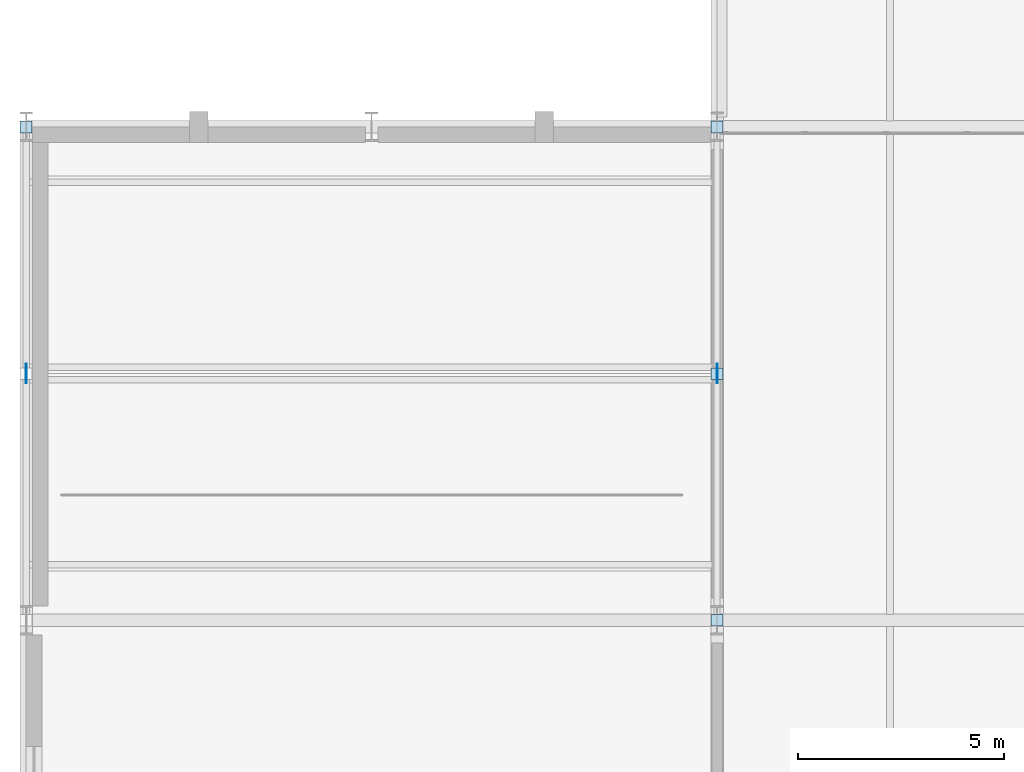
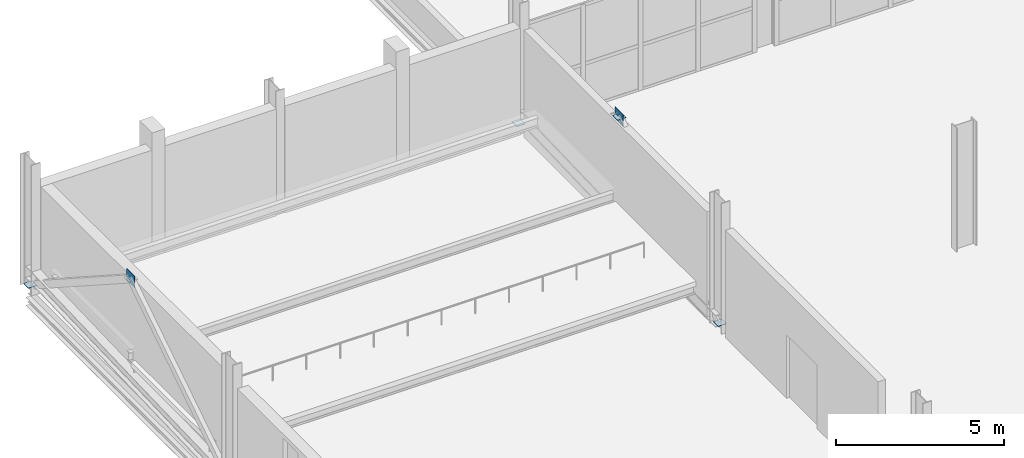
# One storey, part 95 of 113: 6 plates.
"""IFC4 building model written with IfcOpenShell, lengths in metres."""

from ifc_helpers import new_model, si_unit, direction, frame, origin, origin_2d, place, context, subcontext, project, spatial, rectangle, extrude, material, layer, layer_set, type_object, element, save


model = new_model("IFC4")

# Units and contexts
model_context = context("Model", 3, precision=1e-05, world=origin(), true_north=direction((0.0, 1.0)))
body_context = subcontext(model_context, "Body", "Model", "MODEL_VIEW")
ifc_project = project(units=[si_unit("LENGTHUNIT", "METRE"), si_unit("AREAUNIT", "SQUARE_METRE"), si_unit("VOLUMEUNIT", "CUBIC_METRE"), si_unit("PLANEANGLEUNIT", "RADIAN"), si_unit("MASSUNIT", "GRAM", prefix="KILO")], contexts=[model_context])

# Site, building, storey
site_placement = place(None, origin())
site = spatial("IfcSite", under=ifc_project, at=site_placement, CompositionType="ELEMENT")
building_placement = place(site_placement, origin())
building = spatial("IfcBuilding", under=site, at=building_placement, Name="Veltarok Museum of Natural Sciences", CompositionType="ELEMENT")
storey_placement = place(building_placement, frame((0.0, 0.0, 8.39990234375)))
storey = spatial("IfcBuildingStorey", under=building, at=storey_placement, Name="L01", CompositionType="ELEMENT", Elevation=8.39990234375)

# Plates
ifc_material = material(Name="Steel S355J2", Category="steel")
ifc_layer_1 = layer(ifc_material, 0.02001953125)
ifc_layer_set_1 = layer_set([ifc_layer_1], Name="Steel S355J2")
plate_type_1 = type_object("IfcPlateType", Name="Hollow End Closure Plate D290x20", PredefinedType="USERDEFINED", material=ifc_layer_set_1)
for number, where, z_axis, x_axis, name in (
    (1, (6.39990234375, 59.99658203125, 0.142333984375), (0.0, 0.0, 1.0), (0.0, 1.0, 0.0), "End Cap Plate CP-273 437"),
    (2, (23.199951171875, 48.00341796875, 0.142333984375), (0.0, 0.0, 1.0), (0.0, 1.0, 0.0), "End Cap Plate CP-273 441"),
    (3, (23.199951171875, 53.99658203125, 4.0078125), (0.0, 0.0, 1.0), (0.0, 1.0, 0.0), "End Cap Plate CP-273 442"),
    (4, (23.199951171875, 59.99658203125, 0.142333984375), (0.0, 0.0, 1.0), (0.0, 1.0, 0.0), "End Cap Plate CP-273 443"),
):
    element("IfcPlate", number, at=place(storey_placement, frame(where, z_axis=z_axis, x_axis=x_axis)), inside=storey, type_object=plate_type_1, Name=name, ObjectType="END CAP PLATE", PredefinedType="USERDEFINED", context=body_context, shape_type="SweptSolid", body=[
        extrude(rectangle(XDim=0.2900390625, YDim=0.2900390625, at=origin_2d()), origin(), (0.0, 0.0, 1.0), 0.02001953125),
    ])
ifc_layer_2 = layer(ifc_material, 0.02001953125)
ifc_layer_set_2 = layer_set([ifc_layer_2], Name="Steel S355J2")
plate_type_2 = type_object("IfcPlateType", Name="Lateral Brace Gusset Node Plate BN1", PredefinedType="USERDEFINED", material=ifc_layer_set_2)
for number, where, z_axis, x_axis, name in (
    (5, (6.39990234375, 54.0, 3.81005859375), (0.0, 0.0, 1.0), (1.0, 0.0, 0.0), "Lateral Brace Apex Node BN1 24"),
    (6, (23.199951171875, 54.0, 3.81005859375), (0.0, 0.0, 1.0), (1.0, 0.0, 0.0), "Lateral Brace Apex Node BN1 26"),
):
    element("IfcPlate", number, at=place(storey_placement, frame(where, z_axis=z_axis, x_axis=x_axis)), inside=storey, type_object=plate_type_2, Name=name, ObjectType="GUSSET PLATE", PredefinedType="USERDEFINED", context=body_context, shape_type="SweptSolid", body=[
        extrude(rectangle(XDim=0.02001953125, YDim=0.47998046875, at=origin_2d()), origin(), (0.0, 0.0, 1.0), 0.419921875),
    ])

save(model, "model.ifc")
